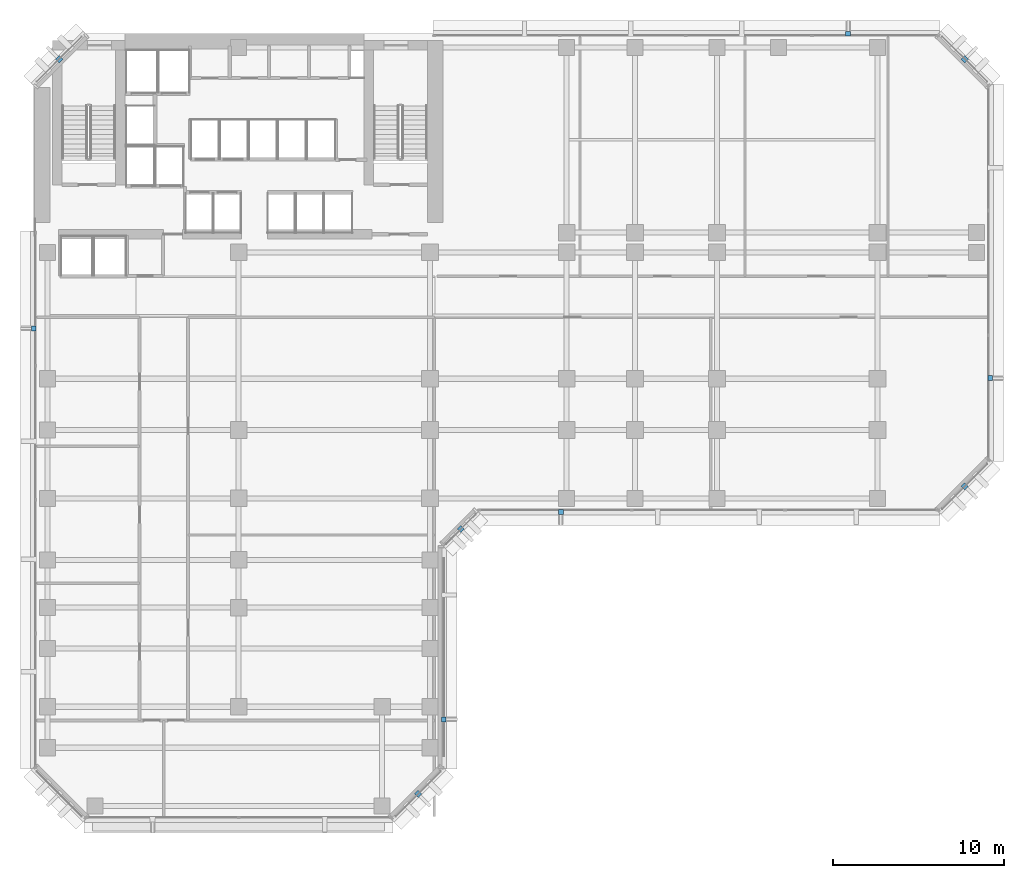
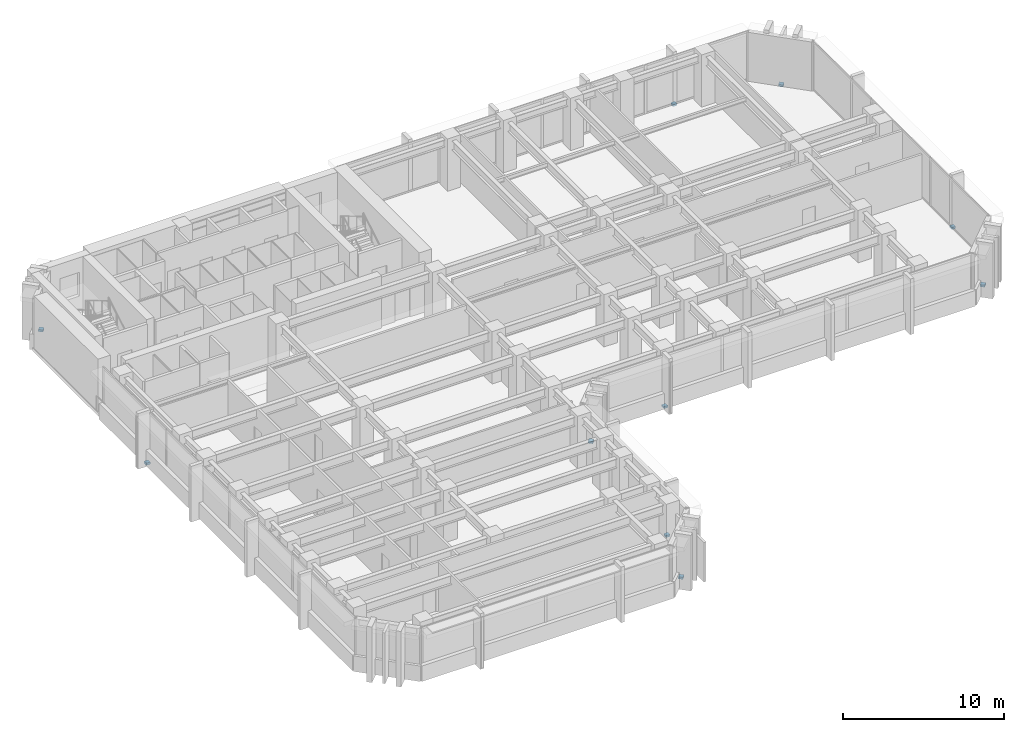
# One storey, part 9 of 14: 10 discrete accessories.
"""IFC4 building model written with IfcOpenShell, lengths in metres."""

import ifcopenshell
import ifcopenshell.guid

model = None  # the IFC model being written
_history = None  # IfcOwnerHistory: only IFC2X3 demands one
_inside = {}  # id of a spatial element -> (the spatial element, [elements in it])
_under = {}  # id of a project, library or spatial element -> (it, [spatial elements below it])
_declared = {}  # id of a project -> (the project, [libraries it declares])
_typed = {}  # id of a type object -> (the type object, [elements of that type])
_made_of = {}  # id of a material, layer set ... -> (it, [elements and type objects made of it])


def new_model(schema):
    """Start an empty IFC model of exactly this schema.

    Asked for "IFC4X3", IfcOpenShell would pick the latest addendum, in which some entities
    have other attributes; the version numbers below select the first issue.
    IFC2X3 requires an IfcOwnerHistory on every rooted entity: one is made here for all.
    """
    global model, _history
    if schema == "IFC4X3":
        model = ifcopenshell.file(schema_version=(4, 3, 0, 0))
    else:
        model = ifcopenshell.file(schema=schema)
    _inside.clear()
    _under.clear()
    _declared.clear()
    _typed.clear()
    _made_of.clear()
    _history = None
    if model.schema == "IFC2X3":
        org = make("IfcOrganization", Name="unknown")
        user = make(
            "IfcPersonAndOrganization",
            ThePerson=make("IfcPerson", FamilyName="unknown"),
            TheOrganization=org,
        )
        app = make(
            "IfcApplication",
            ApplicationDeveloper=org,
            Version="unknown",
            ApplicationFullName="unknown",
            ApplicationIdentifier="unknown",
        )
        _history = make(
            "IfcOwnerHistory",
            OwningUser=user,
            OwningApplication=app,
            ChangeAction="ADDED",
            CreationDate=0,
        )
    return model


def make(cls, **values):
    """One entity of the class cls with the attributes given. An attribute that is None is left unset."""
    return model.create_entity(
        cls, **{name: value for name, value in values.items() if value is not None}
    )


def rooted(cls, **values):
    """An entity with a GlobalId (a new one), such as an element, a storey or a relation."""
    return make(cls, GlobalId=ifcopenshell.guid.new(), OwnerHistory=_history, **values)


def si_unit(unit_type, name, prefix=None):
    """IfcSIUnit, for example si_unit("LENGTHUNIT", "METRE", prefix="MILLI")."""
    return make("IfcSIUnit", UnitType=unit_type, Prefix=prefix, Name=name)


def assignment(units):
    """IfcUnitAssignment: the units of a project."""
    return None if units is None else make("IfcUnitAssignment", Units=units)


def point(xyz):
    """IfcCartesianPoint."""
    return None if xyz is None else make("IfcCartesianPoint", Coordinates=xyz)


def direction(xyz):
    """IfcDirection."""
    return None if xyz is None else make("IfcDirection", DirectionRatios=xyz)


def frame(location, z_axis=None, x_axis=None):
    """IfcAxis2Placement3D, a coordinate frame: its origin and axes. An axis left out is left unset."""
    return make(
        "IfcAxis2Placement3D",
        Location=point(location),
        Axis=direction(z_axis),
        RefDirection=direction(x_axis),
    )


def frame_2d(location, x_axis=None):
    """IfcAxis2Placement2D, a coordinate frame in the plane: its origin and x axis."""
    return make(
        "IfcAxis2Placement2D", Location=point(location), RefDirection=direction(x_axis)
    )


def origin():
    """The frame at (0, 0, 0) with its axes left unset."""
    return frame((0.0, 0.0, 0.0))


def origin_2d():
    """The frame at (0, 0) in the plane with its x axis left unset."""
    return frame_2d((0.0, 0.0))


def place(relative_to, where):
    """IfcLocalPlacement: puts the frame where relative to a parent placement (None: the world)."""
    return make(
        "IfcLocalPlacement", PlacementRelTo=relative_to, RelativePlacement=where
    )


def context(
    kind, dimensions, precision=None, world=None, true_north=None, identifier=None
):
    """IfcGeometricRepresentationContext, for example the 3D "Model" context."""
    return make(
        "IfcGeometricRepresentationContext",
        ContextIdentifier=identifier,
        ContextType=kind,
        CoordinateSpaceDimension=dimensions,
        Precision=precision,
        WorldCoordinateSystem=world,
        TrueNorth=true_north,
    )


def subcontext(parent, identifier, kind, view, scale=None):
    """IfcGeometricRepresentationSubContext, for example "Body" below "Model"."""
    return make(
        "IfcGeometricRepresentationSubContext",
        ContextIdentifier=identifier,
        ContextType=kind,
        ParentContext=parent,
        TargetScale=scale,
        TargetView=view,
    )


def project(units=None, contexts=None):
    """IfcProject with its units and contexts."""
    return rooted(
        "IfcProject",
        Name="project",
        RepresentationContexts=contexts,
        UnitsInContext=assignment(units),
    )


def spatial(cls, under=None, at=None, **own):
    """A site, building, storey or space (cls), placed at a placement, below another one or the project."""
    s = rooted(cls, ObjectPlacement=at, **own)
    if under is not None:
        _under.setdefault(under.id(), (under, []))[1].append(s)
    return s


def profile(cls, at=None, kind="AREA", **sizes):
    """A parametric profile (cls). Its sizes go by their IFC names, for example OverallWidth=200.0."""
    return make(cls, ProfileType=kind, Position=at, **sizes)


def rectangle(**sizes):
    """IfcRectangleProfileDef."""
    return profile("IfcRectangleProfileDef", **sizes)


def extrude(swept, where, along, depth):
    """IfcExtrudedAreaSolid: the profile swept, set in the frame where, extruded along a direction by depth."""
    return make(
        "IfcExtrudedAreaSolid",
        SweptArea=swept,
        Position=where,
        ExtrudedDirection=direction(along),
        Depth=depth,
    )


def shape(context_of_items, identifier, shape_type, items):
    """IfcShapeRepresentation: the items that make up one representation, for example the "Body"."""
    return make(
        "IfcShapeRepresentation",
        ContextOfItems=context_of_items,
        RepresentationIdentifier=identifier,
        RepresentationType=shape_type,
        Items=items,
    )


def material(Name=None, Category=None):
    """IfcMaterial."""
    return make("IfcMaterial", Name=Name, Category=Category)


def layer(
    of_material, thickness, ventilated=None, Name=None, Category=None, Priority=None
):
    """IfcMaterialLayer: one layer of a wall or slab, of a material (None: an air gap)."""
    return make(
        "IfcMaterialLayer",
        Material=of_material,
        LayerThickness=thickness,
        IsVentilated=ventilated,
        Name=Name,
        Category=Category,
        Priority=Priority,
    )


def layer_set(layers, Name=None):
    """IfcMaterialLayerSet."""
    return make("IfcMaterialLayerSet", MaterialLayers=layers, LayerSetName=Name)


def made_of(thing, what):
    """Note that an element or type object is made of a material, layer set ...; save() writes the relation."""
    if what is not None:
        _made_of.setdefault(what.id(), (what, []))[1].append(thing)
    return thing


def type_object(cls, material=None, **own):
    """A type object (cls), such as IfcWallType, which elements share."""
    return made_of(rooted(cls, **own), material)


def element(
    cls,
    number,
    at=None,
    inside=None,
    cuts=None,
    type_object=None,
    material=None,
    context=None,
    identifier="Body",
    shape_type=None,
    held_by="IfcProductDefinitionShape",
    body=None,
    shapes=None,
    **own,
):
    """One element of the class cls, such as IfcWall. Its Tag is "e" and its number.

    at: its placement. inside: the storey or other place that contains it. cuts: it is an
    opening in that element (IfcRelVoidsElement). A single representation is given by context,
    identifier, shape_type and body (its items); several are given by shapes. held_by: the class
    of the entity that holds the representations. save() writes the other relations.
    """
    e = rooted(cls, Tag="e%d" % number, ObjectPlacement=at, **own)
    if body is not None:
        shapes = [shape(context, identifier, shape_type, body)]
    if shapes is not None:
        e.Representation = make(held_by, Representations=shapes)
    if inside is not None:
        _inside.setdefault(inside.id(), (inside, []))[1].append(e)
    if cuts is not None:
        rooted(
            "IfcRelVoidsElement", RelatingBuildingElement=cuts, RelatedOpeningElement=e
        )
    if type_object is not None:
        _typed.setdefault(type_object.id(), (type_object, []))[1].append(e)
    return made_of(e, material)


def aggregate(whole, parts):
    """IfcRelAggregates: a whole, such as a stair, and the parts it consists of."""
    return rooted("IfcRelAggregates", RelatingObject=whole, RelatedObjects=parts)


def save(model, path):
    """Write the relations noted so far, then the file.

    IfcRelAggregates (storeys below a building ...), IfcRelContainedInSpatialStructure (elements
    in a storey), IfcRelDefinesByType, IfcRelAssociatesMaterial and IfcRelDeclares: one each for
    every whole, place, type object, material and project.
    """
    for whole, parts in _under.values():
        aggregate(whole, parts)
    for where, things in _inside.values():
        rooted(
            "IfcRelContainedInSpatialStructure",
            RelatedElements=things,
            RelatingStructure=where,
        )
    for kind, things in _typed.values():
        rooted("IfcRelDefinesByType", RelatedObjects=things, RelatingType=kind)
    for what, things in _made_of.values():
        rooted("IfcRelAssociatesMaterial", RelatedObjects=things, RelatingMaterial=what)
    for by, libraries in _declared.values():
        rooted("IfcRelDeclares", RelatingContext=by, RelatedDefinitions=libraries)
    model.write(path)


model = new_model("IFC4")

# Units and contexts
model_context = context("Model", 3, precision=1e-05, world=origin(), true_north=direction((0.0, 1.0)))
body_context = subcontext(model_context, "Body", "Model", "MODEL_VIEW")
ifc_project = project(units=[si_unit("LENGTHUNIT", "METRE"), si_unit("AREAUNIT", "SQUARE_METRE"), si_unit("VOLUMEUNIT", "CUBIC_METRE"), si_unit("PLANEANGLEUNIT", "RADIAN"), si_unit("MASSUNIT", "GRAM", prefix="KILO")], contexts=[model_context])

# Site, building, storey
site_placement = place(None, origin())
site = spatial("IfcSite", under=ifc_project, at=site_placement, CompositionType="ELEMENT")
building_placement = place(site_placement, origin())
building = spatial("IfcBuilding", under=site, at=building_placement, Name="Kefirva Bronze Tower", CompositionType="ELEMENT")
storey_placement = place(building_placement, frame((0.0, 0.0, 42.239990234375)))
storey = spatial("IfcBuildingStorey", under=building, at=storey_placement, Name="L09", CompositionType="ELEMENT", Elevation=42.239990234375)

# Discrete accessories
ifc_material = material(Name="Stainless steel 316", Category="steel")
ifc_layer = layer(ifc_material, 0.159912109375, Name="Stainless steel 316")
ifc_layer_set = layer_set([ifc_layer], Name="Stainless steel 316")
discrete_accessory_type = type_object("IfcDiscreteAccessoryType", Name="Stainless Facade Outrigger Bracket", PredefinedType="BRACKET", material=ifc_layer_set)
discrete_accessory_1_placement = place(storey_placement, frame((22.5, 1.5, -0.16015625), z_axis=(0.0, 0.0, 1.0), x_axis=(0.707106781187, 0.707106781187, 0.0)))
element("IfcDiscreteAccessory", 1, at=discrete_accessory_1_placement, inside=storey, type_object=discrete_accessory_type, Name="L09 Corner Fin Outrigger Bracket 4", PredefinedType="BRACKET", context=body_context, shape_type="SweptSolid", body=[
    extrude(rectangle(XDim=0.300048828125, YDim=0.300048828125, at=origin_2d()), origin(), (0.0, 0.0, 1.0), 0.159912109375),
])
discrete_accessory_2_placement = place(storey_placement, frame((24.0, 5.860107421875, -0.16015625), z_axis=(0.0, 0.0, 1.0), x_axis=(0.0, 1.0, 0.0)))
element("IfcDiscreteAccessory", 2, at=discrete_accessory_2_placement, inside=storey, type_object=discrete_accessory_type, Name="L09 Rib Outrigger Bracket 5", PredefinedType="BRACKET", context=body_context, shape_type="SweptSolid", body=[
    extrude(rectangle(XDim=0.280029296875, YDim=0.280029296875, at=origin_2d()), origin(), (0.0, 0.0, 1.0), 0.159912109375),
])
discrete_accessory_3_placement = place(storey_placement, frame((25.0, 17.0, -0.16015625), z_axis=(0.0, 0.0, 1.0), x_axis=(0.707106781187, 0.707106781187, 0.0)))
element("IfcDiscreteAccessory", 3, at=discrete_accessory_3_placement, inside=storey, type_object=discrete_accessory_type, Name="L09 Corner Fin Outrigger Bracket 8", PredefinedType="BRACKET", context=body_context, shape_type="SweptSolid", body=[
    extrude(rectangle(XDim=0.300048828125, YDim=0.300048828125, at=origin_2d()), origin(), (0.0, 0.0, 1.0), 0.159912109375),
])
discrete_accessory_4_placement = place(storey_placement, frame((30.860107421875, 18.0, -0.16015625), z_axis=(0.0, 0.0, 1.0), x_axis=(1.0, 0.0, 0.0)))
element("IfcDiscreteAccessory", 4, at=discrete_accessory_4_placement, inside=storey, type_object=discrete_accessory_type, Name="L09 Rib Outrigger Bracket 9", PredefinedType="BRACKET", context=body_context, shape_type="SweptSolid", body=[
    extrude(rectangle(XDim=0.280029296875, YDim=0.280029296875, at=origin_2d()), origin(), (0.0, 0.0, 1.0), 0.159912109375),
])
discrete_accessory_5_placement = place(storey_placement, frame((54.5, 19.5, -0.16015625), z_axis=(0.0, 0.0, 1.0), x_axis=(0.707106781187, 0.707106781187, 0.0)))
element("IfcDiscreteAccessory", 5, at=discrete_accessory_5_placement, inside=storey, type_object=discrete_accessory_type, Name="L09 Corner Fin Outrigger Bracket 14", PredefinedType="BRACKET", context=body_context, shape_type="SweptSolid", body=[
    extrude(rectangle(XDim=0.300048828125, YDim=0.300048828125, at=origin_2d()), origin(), (0.0, 0.0, 1.0), 0.159912109375),
])
discrete_accessory_6_placement = place(storey_placement, frame((56.0, 25.840087890625, -0.16015625), z_axis=(0.0, 0.0, 1.0), x_axis=(0.0, 1.0, 0.0)))
element("IfcDiscreteAccessory", 6, at=discrete_accessory_6_placement, inside=storey, type_object=discrete_accessory_type, Name="L09 Rib Outrigger Bracket 15", PredefinedType="BRACKET", context=body_context, shape_type="SweptSolid", body=[
    extrude(rectangle(XDim=0.280029296875, YDim=0.280029296875, at=origin_2d()), origin(), (0.0, 0.0, 1.0), 0.159912109375),
])
discrete_accessory_7_placement = place(storey_placement, frame((54.5, 44.5, -0.16015625), z_axis=(0.0, 0.0, 1.0), x_axis=(-0.707106781187, 0.707106781187, 0.0)))
element("IfcDiscreteAccessory", 7, at=discrete_accessory_7_placement, inside=storey, type_object=discrete_accessory_type, Name="L09 Corner Fin Outrigger Bracket 18", PredefinedType="BRACKET", context=body_context, shape_type="SweptSolid", body=[
    extrude(rectangle(XDim=0.300048828125, YDim=0.300048828125, at=origin_2d()), origin(), (0.0, 0.0, 1.0), 0.159912109375),
])
discrete_accessory_8_placement = place(storey_placement, frame((47.6728515625, 46.0, -0.16015625), z_axis=(0.0, 0.0, 1.0), x_axis=(-1.0, 0.0, 0.0)))
element("IfcDiscreteAccessory", 8, at=discrete_accessory_8_placement, inside=storey, type_object=discrete_accessory_type, Name="L09 Rib Outrigger Bracket 19", PredefinedType="BRACKET", context=body_context, shape_type="SweptSolid", body=[
    extrude(rectangle(XDim=0.280029296875, YDim=0.280029296875, at=origin_2d()), origin(), (0.0, 0.0, 1.0), 0.159912109375),
])
discrete_accessory_9_placement = place(storey_placement, frame((1.5, 44.5, -0.16015625), z_axis=(0.0, 0.0, 1.0), x_axis=(-0.707106781187, -0.707106781187, 0.0)))
element("IfcDiscreteAccessory", 9, at=discrete_accessory_9_placement, inside=storey, type_object=discrete_accessory_type, Name="L09 Corner Fin Outrigger Bracket 24", PredefinedType="BRACKET", context=body_context, shape_type="SweptSolid", body=[
    extrude(rectangle(XDim=0.300048828125, YDim=0.300048828125, at=origin_2d()), origin(), (0.0, 0.0, 1.0), 0.159912109375),
])
discrete_accessory_10_placement = place(storey_placement, frame((0.0, 28.743896484375, -0.16015625), z_axis=(0.0, 0.0, 1.0), x_axis=(0.0, -1.0, 0.0)))
element("IfcDiscreteAccessory", 10, at=discrete_accessory_10_placement, inside=storey, type_object=discrete_accessory_type, Name="L09 Rib Outrigger Bracket 25", PredefinedType="BRACKET", context=body_context, shape_type="SweptSolid", body=[
    extrude(rectangle(XDim=0.280029296875, YDim=0.280029296875, at=origin_2d()), origin(), (0.0, 0.0, 1.0), 0.159912109375),
])

save(model, "model.ifc")
